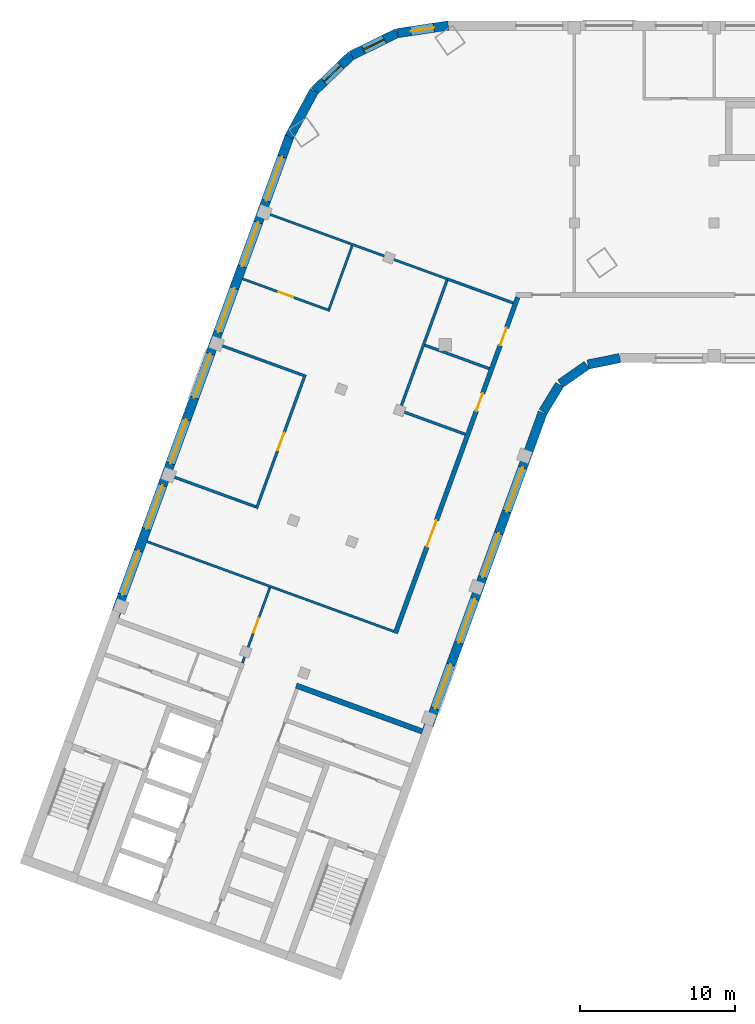
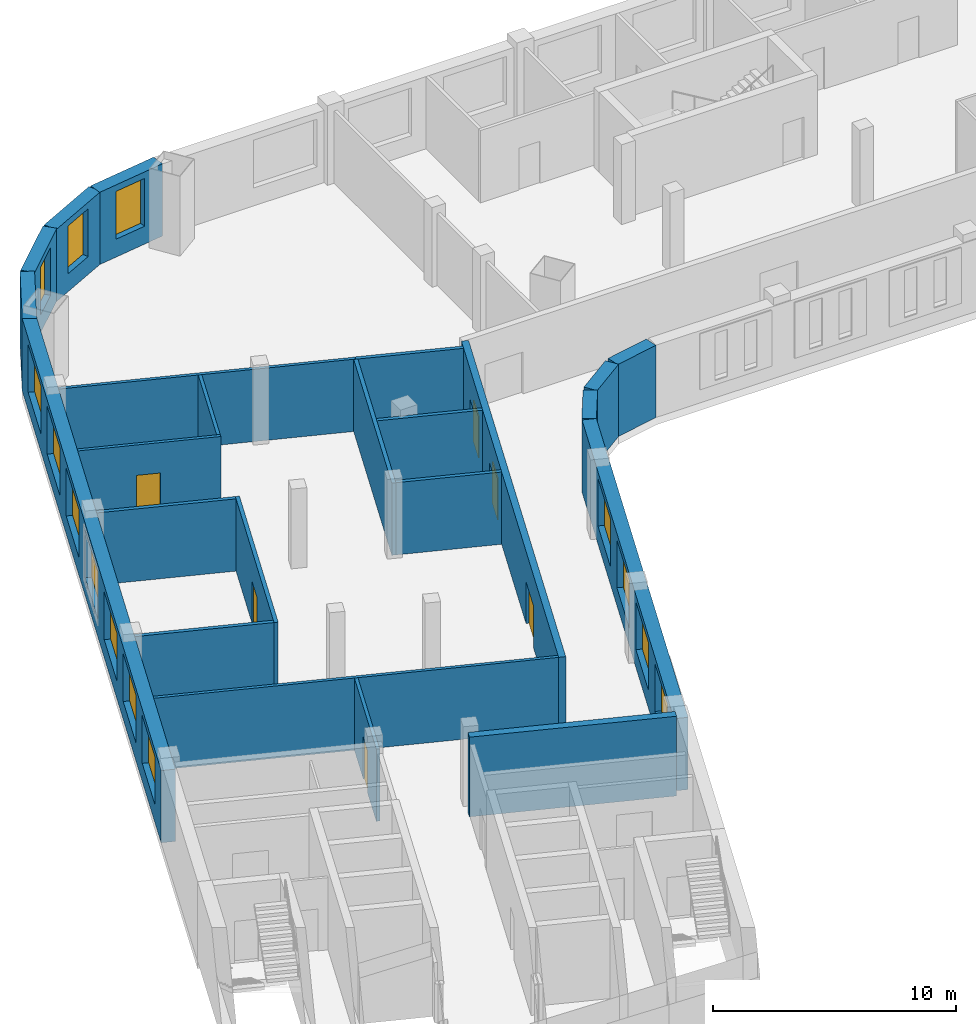
# One storey, part 3 of 8: 23 walls, 14 windows, 6 doors, 20 openings.
"""IFC4 building model written with IfcOpenShell, lengths in metres."""

from ifc_helpers import new_model, si_unit, direction, frame, frame_2d, origin, place, context, subcontext, project, spatial, rectangle, extrude, material, layer, layer_set, type_object, element, fill, save


model = new_model("IFC4")

# Units and contexts
model_context = context("Model", 3, precision=1e-05, world=origin(), true_north=direction((0.0, 1.0)))
body_context = subcontext(model_context, "Body", "Model", "MODEL_VIEW")
ifc_project = project(units=[si_unit("LENGTHUNIT", "METRE"), si_unit("AREAUNIT", "SQUARE_METRE"), si_unit("VOLUMEUNIT", "CUBIC_METRE"), si_unit("PLANEANGLEUNIT", "RADIAN"), si_unit("MASSUNIT", "GRAM", prefix="KILO")], contexts=[model_context])

# Site, building, storey
site_placement = place(None, origin())
site = spatial("IfcSite", under=ifc_project, at=site_placement, CompositionType="ELEMENT")
building_placement = place(site_placement, origin())
building = spatial("IfcBuilding", under=site, at=building_placement, Name="Skarvind Civic Tower", CompositionType="ELEMENT")
storey_placement = place(building_placement, frame((0.0, 0.0, 134.5)))
storey = spatial("IfcBuildingStorey", under=building, at=storey_placement, Name="L31", CompositionType="ELEMENT", Elevation=134.5)

# Walls
ifc_material_1 = material(Name="Acoustic gypsum board on steel studs", Category="steel")
ifc_layer_1 = layer(ifc_material_1, 0.175048828125)
ifc_layer_set_1 = layer_set([ifc_layer_1], Name="ACOUSTIC MEETING-ROOM PARTITION 175")
wall_type_1 = type_object("IfcWallType", Name="ACOUSTIC MEETING-ROOM PARTITION 175", PredefinedType="PARTITIONING", material=ifc_layer_set_1)
wall_1_placement = place(storey_placement, frame((31.35302734375, 118.166015625, 0.0), z_axis=(0.0, 0.0, 1.0), x_axis=(0.939708789041, -0.341975718143, 0.0)))
element("IfcWall", 1, at=wall_1_placement, inside=storey, type_object=wall_type_1, Name="Partition 31.002", PredefinedType="PARTITIONING", context=body_context, shape_type="SweptSolid", body=[
    extrude(rectangle(XDim=5.8134765625, YDim=0.175048828125, at=frame_2d((2.90673828125, 0.0))), origin(), (0.0, 0.0, 1.0), 3.625),
])
wall_2_placement = place(storey_placement, frame((33.737060546875, 107.720947265625, 0.0), z_axis=(0.0, 0.0, 1.0), x_axis=(-0.939694052357, 0.34201621009, 0.0)))
element("IfcWall", 2, at=wall_2_placement, inside=storey, type_object=wall_type_1, Name="Partition 31.003", PredefinedType="PARTITIONING", context=body_context, shape_type="SweptSolid", body=[
    extrude(rectangle(XDim=5.812744140625, YDim=0.175048828125, at=frame_2d((2.90625, 0.0))), origin(), (0.0, 0.0, 1.0), 3.625),
])

# Wall, opening, door
wall_3_placement = place(storey_placement, frame((36.927978515625, 116.22998046875, 0.0), z_axis=(0.0, 0.0, 1.0), x_axis=(-0.342125481497, -0.93965427414, 0.0)))
wall_3 = element("IfcWall", 3, at=wall_3_placement, inside=storey, type_object=wall_type_1, Name="Partition 31.006", PredefinedType="PARTITIONING", context=body_context, shape_type="SweptSolid", body=[
    extrude(rectangle(XDim=9.1748046875, YDim=0.175048828125, at=frame_2d((4.58740234375, 0.0))), origin(), (0.0, 0.0, 1.0), 3.625),
])
opening_1_placement = place(wall_3_placement, frame((3.9873046875, 0.0, 0.0)))
opening_1 = element("IfcOpeningElement", 4, at=opening_1_placement, cuts=wall_3, Name="Opening L31-D014", PredefinedType="OPENING", context=body_context, shape_type="SweptSolid", body=[
    extrude(rectangle(XDim=1.199951171875, YDim=2.10009765625, at=frame_2d((0.60009765625, 1.050048828125))), frame((0.0, 0.097412109375, 0.0), z_axis=(0.0, -1.0, 0.0), x_axis=(1.0, 0.0, 0.0)), (0.0, 0.0, 1.0), 0.195068359375),
])
ifc_material_2 = material(Name="Timber door leaf", Category="wood")
door_type_1 = type_object("IfcDoorType", Name="DOOR 1200X2100 DOUBLE TIMBER", OperationType="NOTDEFINED", PredefinedType="DOOR", material=ifc_material_2)
door_1_placement = place(opening_1_placement, origin())
door_1 = element("IfcDoor", 5, at=door_1_placement, inside=storey, type_object=door_type_1, Name="Door L31-D014", OperationType="DOUBLE_DOOR_SINGLE_SWING", OverallHeight=2.10009765625, OverallWidth=1.199951171875, PredefinedType="DOOR", context=body_context, shape_type="SweptSolid", body=[
    extrude(rectangle(XDim=1.199951171875, YDim=2.10009765625, at=frame_2d((0.60009765625, 1.050048828125))), frame((0.0, 0.02490234375, 0.0), z_axis=(0.0, -1.0, 0.0), x_axis=(1.0, 0.0, 0.0)), (0.0, 0.0, 1.0), 0.050048828125),
])
fill(opening_1, door_1)

# Walls
for number, where, z_axis, x_axis, name in (
    (6, (43.087890625, 113.89501953125, 0.0), (0.0, 0.0, 1.0), (0.939691598517, -0.342022951975, 0.0), "Partition 31.010"),
    (7, (44.626953125, 118.1240234375, 0.0), (0.0, 0.0, 1.0), (0.939691598517, -0.342022951975, 0.0), "Partition 31.011"),
):
    element("IfcWall", number, at=place(storey_placement, frame(where, z_axis=z_axis, x_axis=x_axis)), inside=storey, type_object=wall_type_1, Name=name, PredefinedType="PARTITIONING", context=body_context, shape_type="SweptSolid", body=[
        extrude(rectangle(XDim=4.412109375, YDim=0.175048828125, at=frame_2d((2.2060546875, 0.0))), origin(), (0.0, 0.0, 1.0), 3.625),
    ])
wall_4_placement = place(storey_placement, frame((46.053955078125, 122.301025390625, 0.0), z_axis=(0.0, 0.0, 1.0), x_axis=(-0.341963022424, -0.939713409128, 0.0)))
element("IfcWall", 8, at=wall_4_placement, inside=storey, type_object=wall_type_1, Name="Partition 31.012", PredefinedType="PARTITIONING", context=body_context, shape_type="SweptSolid", body=[
    extrude(rectangle(XDim=9.000732421875, YDim=0.175048828125, at=frame_2d((4.50048828125, 0.0))), origin(), (0.0, 0.0, 1.0), 3.625),
])
wall_5_placement = place(storey_placement, frame((50.31201171875, 120.843017578125, 0.0), z_axis=(0.0, 0.0, 1.0), x_axis=(-0.939609529273, 0.342248349154, 0.0)))
element("IfcWall", 9, at=wall_5_placement, inside=storey, type_object=wall_type_1, Name="Partition 31.013", PredefinedType="PARTITIONING", context=body_context, shape_type="SweptSolid", body=[
    extrude(rectangle(XDim=4.499755859375, YDim=0.175048828125, at=frame_2d((2.25, 0.0))), origin(), (0.0, 0.0, 1.0), 3.625),
])

# Wall, openings, doors
ifc_material_3 = material(Name="Fire-rated gypsum board on steel studs", Category="steel")
ifc_layer_2 = layer(ifc_material_3, 0.300048828125)
ifc_layer_set_2 = layer_set([ifc_layer_2], Name="CORRIDOR WALL 300")
wall_type_2 = type_object("IfcWallType", Name="CORRIDOR WALL 300", PredefinedType="PARTITIONING", material=ifc_layer_set_2)
wall_6_placement = place(storey_placement, frame((42.73193359375, 99.5791015625, 0.0), z_axis=(0.0, 0.0, 1.0), x_axis=(0.342036000593, 0.939686849061, 0.0)))
wall_6 = element("IfcWall", 10, at=wall_6_placement, inside=storey, type_object=wall_type_2, Name="Partition 31.009", PredefinedType="PARTITIONING", context=body_context, shape_type="SweptSolid", body=[
    extrude(rectangle(XDim=23.01806640625, YDim=0.300048828125, at=frame_2d((11.509033203125, 0.0))), origin(), (0.0, 0.0, 1.0), 3.625),
])
opening_2_placement = place(wall_6_placement, frame((15.224853515625, 0.0, 0.0)))
opening_2 = element("IfcOpeningElement", 11, at=opening_2_placement, cuts=wall_6, Name="Opening L31-D012", PredefinedType="OPENING", context=body_context, shape_type="SweptSolid", body=[
    extrude(rectangle(XDim=1.199951171875, YDim=2.10009765625, at=frame_2d((0.60009765625, 1.050048828125))), frame((0.0, 0.159912109375, 0.0), z_axis=(0.0, -1.0, 0.0), x_axis=(1.0, 0.0, 0.0)), (0.0, 0.0, 1.0), 0.320068359375),
])
opening_3_placement = place(wall_6_placement, frame((19.724609375, 0.0, 0.0)))
opening_3 = element("IfcOpeningElement", 12, at=opening_3_placement, cuts=wall_6, Name="Opening L31-D013", PredefinedType="OPENING", context=body_context, shape_type="SweptSolid", body=[
    extrude(rectangle(XDim=1.199951171875, YDim=2.10009765625, at=frame_2d((0.60009765625, 1.050048828125))), frame((0.0, 0.159912109375, 0.0), z_axis=(0.0, -1.0, 0.0), x_axis=(1.0, 0.0, 0.0)), (0.0, 0.0, 1.0), 0.320068359375),
])
opening_4_placement = place(wall_6_placement, frame((5.924560546875, 0.0, 0.0)))
opening_4 = element("IfcOpeningElement", 13, at=opening_4_placement, cuts=wall_6, Name="Opening L31-D016", PredefinedType="OPENING", context=body_context, shape_type="SweptSolid", body=[
    extrude(rectangle(XDim=1.800048828125, YDim=2.10009765625, at=frame_2d((0.89990234375, 1.050048828125))), frame((0.0, 0.159912109375, 0.0), z_axis=(0.0, -1.0, 0.0), x_axis=(1.0, 0.0, 0.0)), (0.0, 0.0, 1.0), 0.320068359375),
])
ifc_material_4 = material(Name="Fire-rated timber door leaf", Category="wood")
door_type_2 = type_object("IfcDoorType", Name="FD4 1800x2100", OperationType="NOTDEFINED", PredefinedType="DOOR", material=ifc_material_4)
door_2_placement = place(opening_4_placement, origin())
door_2 = element("IfcDoor", 14, at=door_2_placement, inside=storey, type_object=door_type_2, Name="Door L31-D016", OperationType="DOUBLE_DOOR_SINGLE_SWING", OverallHeight=2.10009765625, OverallWidth=1.800048828125, PredefinedType="DOOR", context=body_context, shape_type="SweptSolid", body=[
    extrude(rectangle(XDim=1.800048828125, YDim=2.10009765625, at=frame_2d((0.89990234375, 1.050048828125))), frame((0.0, 0.02490234375, 0.0), z_axis=(0.0, -1.0, 0.0), x_axis=(1.0, 0.0, 0.0)), (0.0, 0.0, 1.0), 0.050048828125),
])
fill(opening_4, door_2)
door_type_3 = type_object("IfcDoorType", Name="FD6 1200x2100 DOUBLE", OperationType="NOTDEFINED", PredefinedType="DOOR", material=ifc_material_4)
door_3_placement = place(opening_2_placement, origin())
door_3 = element("IfcDoor", 15, at=door_3_placement, inside=storey, type_object=door_type_3, Name="Door L31-D012", OperationType="DOUBLE_DOOR_SINGLE_SWING", OverallHeight=2.10009765625, OverallWidth=1.199951171875, PredefinedType="DOOR", context=body_context, shape_type="SweptSolid", body=[
    extrude(rectangle(XDim=1.199951171875, YDim=2.10009765625, at=frame_2d((0.60009765625, 1.050048828125))), frame((0.0, 0.02490234375, 0.0), z_axis=(0.0, -1.0, 0.0), x_axis=(1.0, 0.0, 0.0)), (0.0, 0.0, 1.0), 0.050048828125),
])
fill(opening_2, door_3)
door_4_placement = place(opening_3_placement, origin())
door_4 = element("IfcDoor", 16, at=door_4_placement, inside=storey, type_object=door_type_3, Name="Door L31-D013", OperationType="DOUBLE_DOOR_SINGLE_SWING", OverallHeight=2.10009765625, OverallWidth=1.199951171875, PredefinedType="DOOR", context=body_context, shape_type="SweptSolid", body=[
    extrude(rectangle(XDim=1.199951171875, YDim=2.10009765625, at=frame_2d((0.60009765625, 1.050048828125))), frame((0.0, 0.02490234375, 0.0), z_axis=(0.0, -1.0, 0.0), x_axis=(1.0, 0.0, 0.0)), (0.0, 0.0, 1.0), 0.050048828125),
])
fill(opening_3, door_4)

# Walls
ifc_material_5 = material(Name="Concrete C60", Category="concrete")
ifc_layer_3 = layer(ifc_material_5, 0.35009765625)
ifc_layer_set_3 = layer_set([ifc_layer_3], Name="Core wall 350 C60")
wall_type_3 = type_object("IfcWallType", Name="Core wall 350 C60", PredefinedType="SHEAR", material=ifc_layer_set_3)
wall_7_placement = place(storey_placement, frame((44.473388671875, 93.25146484375, 0.0), z_axis=(0.0, 0.0, 1.0), x_axis=(-0.939692847377, 0.34201952077, 0.0)))
element("IfcWall", 17, at=wall_7_placement, inside=storey, type_object=wall_type_3, Name="Core wall C2 south inner face L31", PredefinedType="SHEAR", context=body_context, shape_type="SweptSolid", body=[
    extrude(rectangle(XDim=8.650146484375, YDim=0.35009765625, at=frame_2d((4.3251953125, 0.0))), origin(), (0.0, 0.0, 1.0), 4.0),
])
ifc_material_6 = material(Name="Plasterboard partition on steel studs", Category="steel")
ifc_layer_4 = layer(ifc_material_6, 0.14990234375)
ifc_layer_set_4 = layer_set([ifc_layer_4], Name="PARTITION 150")
wall_type_4 = type_object("IfcWallType", Name="PARTITION 150", PredefinedType="PARTITIONING", material=ifc_layer_set_4)
wall_8_placement = place(storey_placement, frame((26.736083984375, 105.47998046875, 0.0), z_axis=(0.0, 0.0, 1.0), x_axis=(0.939695108427, -0.342013308511, 0.0)))
element("IfcWall", 18, at=wall_8_placement, inside=storey, type_object=wall_type_4, Name="Partition 31.001", PredefinedType="PARTITIONING", context=body_context, shape_type="SweptSolid", body=[
    extrude(rectangle(XDim=16.89990234375, YDim=0.14990234375, at=frame_2d((8.449951171875, 0.0))), origin(), (0.0, 0.0, 1.0), 3.625),
])
wall_9_placement = place(storey_placement, frame((34.430908203125, 126.6240234375, 0.0), z_axis=(0.0, 0.0, 1.0), x_axis=(0.939703144457, -0.341991228392, 0.0)))
element("IfcWall", 19, at=wall_9_placement, inside=storey, type_object=wall_type_4, Name="Partition 31.004", PredefinedType="PARTITIONING", context=body_context, shape_type="SweptSolid", body=[
    extrude(rectangle(XDim=12.40087890625, YDim=0.14990234375, at=frame_2d((6.200439453125, 0.0))), origin(), (0.0, 0.0, 1.0), 3.625),
])

# Wall, opening, door
wall_10_placement = place(storey_placement, frame((32.881103515625, 97.656982421875, 0.0), z_axis=(0.0, 0.0, 1.0), x_axis=(0.341981688871, 0.939706616172, 0.0)))
wall_10 = element("IfcWall", 20, at=wall_10_placement, inside=storey, type_object=wall_type_4, Name="Partition 31.005", PredefinedType="PARTITIONING", context=body_context, shape_type="SweptSolid", body=[
    extrude(rectangle(XDim=5.175048828125, YDim=0.14990234375, at=frame_2d((2.58740234375, 0.0))), origin(), (0.0, 0.0, 1.0), 3.625),
])
opening_5_placement = place(wall_10_placement, frame((2.09765625, 0.0, 0.0)))
opening_5 = element("IfcOpeningElement", 21, at=opening_5_placement, cuts=wall_10, Name="Opening L31-D011", PredefinedType="OPENING", context=body_context, shape_type="SweptSolid", body=[
    extrude(rectangle(XDim=1.0, YDim=2.10009765625, at=frame_2d((0.5, 1.050048828125))), frame((0.0, 0.0849609375, 0.0), z_axis=(0.0, -1.0, 0.0), x_axis=(1.0, 0.0, 0.0)), (0.0, 0.0, 1.0), 0.169921875),
])
door_type_4 = type_object("IfcDoorType", Name="D1 1000x2100", OperationType="NOTDEFINED", PredefinedType="DOOR", material=ifc_material_2)
door_5_placement = place(opening_5_placement, origin())
door_5 = element("IfcDoor", 22, at=door_5_placement, inside=storey, type_object=door_type_4, Name="Door L31-D011", OperationType="SINGLE_SWING_LEFT", OverallHeight=2.10009765625, OverallWidth=1.0, PredefinedType="DOOR", context=body_context, shape_type="SweptSolid", body=[
    extrude(rectangle(XDim=1.0, YDim=2.10009765625, at=frame_2d((0.5, 1.050048828125))), frame((0.0, 0.02490234375, 0.0), z_axis=(0.0, -1.0, 0.0), x_axis=(1.0, 0.0, 0.0)), (0.0, 0.0, 1.0), 0.050048828125),
])
fill(opening_5, door_5)

wall_11_placement = place(storey_placement, frame((38.507080078125, 120.35107421875, 0.0), z_axis=(0.0, 0.0, 1.0), x_axis=(-0.939678850769, 0.342057973766, 0.0)))
wall_11 = element("IfcWall", 23, at=wall_11_placement, inside=storey, type_object=wall_type_4, Name="Partition 31.007", PredefinedType="PARTITIONING", context=body_context, shape_type="SweptSolid", body=[
    extrude(rectangle(XDim=5.975341796875, YDim=0.14990234375, at=frame_2d((2.98779296875, 0.0))), origin(), (0.0, 0.0, 1.0), 3.625),
])
opening_6_placement = place(wall_11_placement, frame((2.52490234375, 0.0, 0.0)))
opening_6 = element("IfcOpeningElement", 24, at=opening_6_placement, cuts=wall_11, Name="Opening L31-D015", PredefinedType="OPENING", context=body_context, shape_type="SweptSolid", body=[
    extrude(rectangle(XDim=1.0, YDim=2.10009765625, at=frame_2d((0.5, 1.050048828125))), frame((0.0, 0.0849609375, 0.0), z_axis=(0.0, -1.0, 0.0), x_axis=(1.0, 0.0, 0.0)), (0.0, 0.0, 1.0), 0.169921875),
])
door_6_placement = place(opening_6_placement, origin())
door_6 = element("IfcDoor", 25, at=door_6_placement, inside=storey, type_object=door_type_4, Name="Door L31-D015", OperationType="SINGLE_SWING_LEFT", OverallHeight=2.10009765625, OverallWidth=1.0, PredefinedType="DOOR", context=body_context, shape_type="SweptSolid", body=[
    extrude(rectangle(XDim=1.0, YDim=2.10009765625, at=frame_2d((0.5, 1.050048828125))), frame((0.0, 0.02490234375, 0.0), z_axis=(0.0, -1.0, 0.0), x_axis=(1.0, 0.0, 0.0)), (0.0, 0.0, 1.0), 0.050048828125),
])
fill(opening_6, door_6)

# Wall
wall_12_placement = place(storey_placement, frame((39.949951171875, 124.535888671875, 0.0), z_axis=(0.0, 0.0, 1.0), x_axis=(-0.341783611499, -0.939778677621, 0.0)))
element("IfcWall", 26, at=wall_12_placement, inside=storey, type_object=wall_type_4, Name="Partition 31.008", PredefinedType="PARTITIONING", context=body_context, shape_type="SweptSolid", body=[
    extrude(rectangle(XDim=4.350830078125, YDim=0.14990234375, at=frame_2d((2.17529296875, 0.0))), origin(), (0.0, 0.0, 1.0), 3.625),
])

# Wall, openings, windows
ifc_material_7 = material(Name="Limestone masonry cladding on insulated backing", Category="masonry")
ifc_layer_5 = layer(ifc_material_7, 0.60009765625)
ifc_layer_set_5 = layer_set([ifc_layer_5], Name="WX1 STONE FACADE WALL 600")
wall_type_5 = type_object("IfcWallType", Name="WX1 STONE FACADE WALL 600", PredefinedType="SOLIDWALL", material=ifc_layer_set_5)
wall_13_placement = place(storey_placement, frame((52.212158203125, 113.78271484375, 0.0), z_axis=(0.0, 0.0, 1.0), x_axis=(-0.34202521188, -0.939690775968, 0.0)))
wall_13 = element("IfcWall", 27, at=wall_13_placement, inside=storey, type_object=wall_type_5, Name="STONE FACADE WALL", PredefinedType="SOLIDWALL", context=body_context, shape_type="SweptSolid", body=[
    extrude(rectangle(XDim=21.744873046875, YDim=0.60009765625, at=frame_2d((10.87255859375, 0.0))), origin(), (0.0, 0.0, 1.0), 3.625),
])
opening_7_placement = place(wall_13_placement, frame((3.764892578125, 0.0, 0.89990234375)))
opening_7 = element("IfcOpeningElement", 28, at=opening_7_placement, cuts=wall_13, Name="Opening WN1", PredefinedType="OPENING", context=body_context, shape_type="SweptSolid", body=[
    extrude(rectangle(XDim=3.0, YDim=2.39990234375, at=frame_2d((1.5, 1.199951171875))), frame((0.0, 0.31005859375, 0.0), z_axis=(0.0, -1.0, 0.0), x_axis=(1.0, 0.0, 0.0)), (0.0, 0.0, 1.0), 0.6201171875),
])
opening_8_placement = place(wall_13_placement, frame((8.264892578125, 0.0, 0.89990234375)))
opening_8 = element("IfcOpeningElement", 29, at=opening_8_placement, cuts=wall_13, Name="Opening WN1", PredefinedType="OPENING", context=body_context, shape_type="SweptSolid", body=[
    extrude(rectangle(XDim=3.0, YDim=2.39990234375, at=frame_2d((1.5, 1.199951171875))), frame((0.0, 0.31005859375, 0.0), z_axis=(0.0, -1.0, 0.0), x_axis=(1.0, 0.0, 0.0)), (0.0, 0.0, 1.0), 0.6201171875),
])
opening_9_placement = place(wall_13_placement, frame((12.764892578125, 0.0, 0.89990234375)))
opening_9 = element("IfcOpeningElement", 30, at=opening_9_placement, cuts=wall_13, Name="Opening WN1", PredefinedType="OPENING", context=body_context, shape_type="SweptSolid", body=[
    extrude(rectangle(XDim=3.0, YDim=2.39990234375, at=frame_2d((1.5, 1.199951171875))), frame((0.0, 0.31005859375, 0.0), z_axis=(0.0, -1.0, 0.0), x_axis=(1.0, 0.0, 0.0)), (0.0, 0.0, 1.0), 0.6201171875),
])
opening_10_placement = place(wall_13_placement, frame((17.264892578125, 0.0, 0.89990234375)))
opening_10 = element("IfcOpeningElement", 31, at=opening_10_placement, cuts=wall_13, Name="Opening WN1", PredefinedType="OPENING", context=body_context, shape_type="SweptSolid", body=[
    extrude(rectangle(XDim=3.0, YDim=2.39990234375, at=frame_2d((1.5, 1.199951171875))), frame((0.0, 0.31005859375, 0.0), z_axis=(0.0, -1.0, 0.0), x_axis=(1.0, 0.0, 0.0)), (0.0, 0.0, 1.0), 0.6201171875),
])
ifc_material_8 = material(Name="Timber frame, double glazing, timber-lined reveal", Category="wood")
window_type_1 = type_object("IfcWindowType", Name="WN1 PUNCHED STONE WINDOW 3000 x 2400", PartitioningType="SINGLE_PANEL", PredefinedType="WINDOW", material=ifc_material_8)
window_1_placement = place(opening_7_placement, origin())
window_1 = element("IfcWindow", 32, at=window_1_placement, inside=storey, type_object=window_type_1, Name="WN1 WINDOW", OverallHeight=2.39990234375, OverallWidth=3.0, PartitioningType="SINGLE_PANEL", PredefinedType="WINDOW", context=body_context, shape_type="SweptSolid", body=[
    extrude(rectangle(XDim=3.0, YDim=2.39990234375, at=frame_2d((1.5, 1.199951171875))), frame((0.0, 0.030029296875, 0.0), z_axis=(0.0, -1.0, 0.0), x_axis=(1.0, 0.0, 0.0)), (0.0, 0.0, 1.0), 0.06005859375),
])
fill(opening_7, window_1)
window_2_placement = place(opening_8_placement, origin())
window_2 = element("IfcWindow", 33, at=window_2_placement, inside=storey, type_object=window_type_1, Name="WN1 WINDOW", OverallHeight=2.39990234375, OverallWidth=3.0, PartitioningType="SINGLE_PANEL", PredefinedType="WINDOW", context=body_context, shape_type="SweptSolid", body=[
    extrude(rectangle(XDim=3.0, YDim=2.39990234375, at=frame_2d((1.5, 1.199951171875))), frame((0.0, 0.030029296875, 0.0), z_axis=(0.0, -1.0, 0.0), x_axis=(1.0, 0.0, 0.0)), (0.0, 0.0, 1.0), 0.06005859375),
])
fill(opening_8, window_2)
window_3_placement = place(opening_9_placement, origin())
window_3 = element("IfcWindow", 34, at=window_3_placement, inside=storey, type_object=window_type_1, Name="WN1 WINDOW", OverallHeight=2.39990234375, OverallWidth=3.0, PartitioningType="SINGLE_PANEL", PredefinedType="WINDOW", context=body_context, shape_type="SweptSolid", body=[
    extrude(rectangle(XDim=3.0, YDim=2.39990234375, at=frame_2d((1.5, 1.199951171875))), frame((0.0, 0.030029296875, 0.0), z_axis=(0.0, -1.0, 0.0), x_axis=(1.0, 0.0, 0.0)), (0.0, 0.0, 1.0), 0.06005859375),
])
fill(opening_9, window_3)
window_4_placement = place(opening_10_placement, origin())
window_4 = element("IfcWindow", 35, at=window_4_placement, inside=storey, type_object=window_type_1, Name="WN1 WINDOW", OverallHeight=2.39990234375, OverallWidth=3.0, PartitioningType="SINGLE_PANEL", PredefinedType="WINDOW", context=body_context, shape_type="SweptSolid", body=[
    extrude(rectangle(XDim=3.0, YDim=2.39990234375, at=frame_2d((1.5, 1.199951171875))), frame((0.0, 0.030029296875, 0.0), z_axis=(0.0, -1.0, 0.0), x_axis=(1.0, 0.0, 0.0)), (0.0, 0.0, 1.0), 0.06005859375),
])
fill(opening_10, window_4)

# Walls
wall_14_placement = place(storey_placement, frame((53.30517578125, 115.578369140625, 0.0), z_axis=(0.0, 0.0, 1.0), x_axis=(-0.522402266438, -0.852699168535, 0.0)))
element("IfcWall", 36, at=wall_14_placement, inside=storey, type_object=wall_type_5, Name="STONE FACADE WALL", PredefinedType="SOLIDWALL", context=body_context, shape_type="SweptSolid", body=[
    extrude(rectangle(XDim=2.042236328125, YDim=0.60009765625, at=frame_2d((1.02099609375, 0.0))), origin(), (0.0, 0.0, 1.0), 3.625),
])
for number, where, z_axis, x_axis, name in (
    (37, (55.061767578125, 116.8388671875, 0.0), (0.0, 0.0, 1.0), (-0.819122269495, -0.573618956815, 0.0), "STONE FACADE WALL"),
    (38, (57.17529296875, 117.2939453125, 0.0), (0.0, 0.0, 1.0), (-0.97996099083, -0.19918949885, 0.0), "STONE FACADE WALL"),
):
    element("IfcWall", number, at=place(storey_placement, frame(where, z_axis=z_axis, x_axis=x_axis)), inside=storey, type_object=wall_type_5, Name=name, PredefinedType="SOLIDWALL", context=body_context, shape_type="SweptSolid", body=[
        extrude(rectangle(XDim=2.09228515625, YDim=0.60009765625, at=frame_2d((1.046142578125, 0.0))), origin(), (0.0, 0.0, 1.0), 3.625),
    ])

# Wall, opening, window
wall_15_placement = place(storey_placement, frame((42.872802734375, 138.21728515625, 0.0), z_axis=(0.0, 0.0, 1.0), x_axis=(0.989110792192, 0.14717282619, 0.0)))
wall_15 = element("IfcWall", 39, at=wall_15_placement, inside=storey, type_object=wall_type_5, Name="STONE FACADE WALL", PredefinedType="SOLIDWALL", context=body_context, shape_type="SweptSolid", body=[
    extrude(rectangle(XDim=3.302734375, YDim=0.60009765625, at=frame_2d((1.6513671875, 0.0))), origin(), (0.0, 0.0, 1.0), 3.625),
])
opening_11_placement = place(wall_15_placement, frame((0.8564453125, 0.0, 0.89990234375)))
opening_11 = element("IfcOpeningElement", 40, at=opening_11_placement, cuts=wall_15, Name="Opening WN8", PredefinedType="OPENING", context=body_context, shape_type="SweptSolid", body=[
    extrude(rectangle(XDim=1.5, YDim=2.39990234375, at=frame_2d((0.75, 1.199951171875))), frame((0.0, 0.31005859375, 0.0), z_axis=(0.0, -1.0, 0.0), x_axis=(1.0, 0.0, 0.0)), (0.0, 0.0, 1.0), 0.6201171875),
])
window_type_2 = type_object("IfcWindowType", Name="WN8 ARC BAY WINDOW 1500 x 2400", PartitioningType="SINGLE_PANEL", PredefinedType="WINDOW", material=ifc_material_8)
window_5_placement = place(opening_11_placement, origin())
window_5 = element("IfcWindow", 41, at=window_5_placement, inside=storey, type_object=window_type_2, Name="WN8 WINDOW", OverallHeight=2.39990234375, OverallWidth=1.5, PartitioningType="SINGLE_PANEL", PredefinedType="WINDOW", context=body_context, shape_type="SweptSolid", body=[
    extrude(rectangle(XDim=1.5, YDim=2.39990234375, at=frame_2d((0.75, 1.199951171875))), frame((0.0, 0.030029296875, 0.0), z_axis=(0.0, -1.0, 0.0), x_axis=(1.0, 0.0, 0.0)), (0.0, 0.0, 1.0), 0.06005859375),
])
fill(opening_11, window_5)

wall_16_placement = place(storey_placement, frame((39.9072265625, 136.77587890625, 0.0), z_axis=(0.0, 0.0, 1.0), x_axis=(0.89761231107, 0.440785819889, 0.0)))
wall_16 = element("IfcWall", 42, at=wall_16_placement, inside=storey, type_object=wall_type_5, Name="STONE FACADE WALL", PredefinedType="SOLIDWALL", context=body_context, shape_type="SweptSolid", body=[
    extrude(rectangle(XDim=3.302734375, YDim=0.60009765625, at=frame_2d((1.6513671875, 0.0))), origin(), (0.0, 0.0, 1.0), 3.625),
])
opening_12_placement = place(wall_16_placement, frame((0.8564453125, 0.0, 0.89990234375)))
opening_12 = element("IfcOpeningElement", 43, at=opening_12_placement, cuts=wall_16, Name="Opening WN8", PredefinedType="OPENING", context=body_context, shape_type="SweptSolid", body=[
    extrude(rectangle(XDim=1.5, YDim=2.39990234375, at=frame_2d((0.75, 1.199951171875))), frame((0.0, 0.31005859375, 0.0), z_axis=(0.0, -1.0, 0.0), x_axis=(1.0, 0.0, 0.0)), (0.0, 0.0, 1.0), 0.6201171875),
])
window_6_placement = place(opening_12_placement, origin())
window_6 = element("IfcWindow", 44, at=window_6_placement, inside=storey, type_object=window_type_2, Name="WN8 WINDOW", OverallHeight=2.39990234375, OverallWidth=1.5, PartitioningType="SINGLE_PANEL", PredefinedType="WINDOW", context=body_context, shape_type="SweptSolid", body=[
    extrude(rectangle(XDim=1.5, YDim=2.39990234375, at=frame_2d((0.75, 1.199951171875))), frame((0.0, 0.030029296875, 0.0), z_axis=(0.0, -1.0, 0.0), x_axis=(1.0, 0.0, 0.0)), (0.0, 0.0, 1.0), 0.06005859375),
])
fill(opening_12, window_6)

wall_17_placement = place(storey_placement, frame((37.520263671875, 134.501220703125, 0.0), z_axis=(0.0, 0.0, 1.0), x_axis=(0.72115684486, 0.692771827596, 0.0)))
wall_17 = element("IfcWall", 45, at=wall_17_placement, inside=storey, type_object=wall_type_5, Name="STONE FACADE WALL", PredefinedType="SOLIDWALL", context=body_context, shape_type="SweptSolid", body=[
    extrude(rectangle(XDim=3.302734375, YDim=0.60009765625, at=frame_2d((1.6513671875, 0.0))), origin(), (0.0, 0.0, 1.0), 3.625),
])
opening_13_placement = place(wall_17_placement, frame((0.8564453125, 0.0, 0.89990234375)))
opening_13 = element("IfcOpeningElement", 46, at=opening_13_placement, cuts=wall_17, Name="Opening WN8", PredefinedType="OPENING", context=body_context, shape_type="SweptSolid", body=[
    extrude(rectangle(XDim=1.5, YDim=2.39990234375, at=frame_2d((0.75, 1.199951171875))), frame((0.0, 0.31005859375, 0.0), z_axis=(0.0, -1.0, 0.0), x_axis=(1.0, 0.0, 0.0)), (0.0, 0.0, 1.0), 0.6201171875),
])
window_7_placement = place(opening_13_placement, origin())
window_7 = element("IfcWindow", 47, at=window_7_placement, inside=storey, type_object=window_type_2, Name="WN8 WINDOW", OverallHeight=2.39990234375, OverallWidth=1.5, PartitioningType="SINGLE_PANEL", PredefinedType="WINDOW", context=body_context, shape_type="SweptSolid", body=[
    extrude(rectangle(XDim=1.5, YDim=2.39990234375, at=frame_2d((0.75, 1.199951171875))), frame((0.0, 0.030029296875, 0.0), z_axis=(0.0, -1.0, 0.0), x_axis=(1.0, 0.0, 0.0)), (0.0, 0.0, 1.0), 0.06005859375),
])
fill(opening_13, window_7)

# Wall
wall_18_placement = place(storey_placement, frame((35.89453125, 131.529541015625, 0.0), z_axis=(0.0, 0.0, 1.0), x_axis=(0.476531180538, 0.879157570618, 0.0)))
element("IfcWall", 48, at=wall_18_placement, inside=storey, type_object=wall_type_5, Name="STONE FACADE WALL", PredefinedType="SOLIDWALL", context=body_context, shape_type="SweptSolid", body=[
    extrude(rectangle(XDim=3.392578125, YDim=0.60009765625, at=frame_2d((1.6962890625, 0.0))), origin(), (0.0, 0.0, 1.0), 3.625),
])

# Wall, openings, windows
wall_19_placement = place(storey_placement, frame((24.66552734375, 100.668701171875, 0.0), z_axis=(0.0, 0.0, 1.0), x_axis=(0.34201964167, 0.939692803373, 0.0)))
wall_19 = element("IfcWall", 49, at=wall_19_placement, inside=storey, type_object=wall_type_5, Name="STONE FACADE WALL", PredefinedType="SOLIDWALL", context=body_context, shape_type="SweptSolid", body=[
    extrude(rectangle(XDim=32.88427734375, YDim=0.60009765625, at=frame_2d((16.442138671875, 0.0))), origin(), (0.0, 0.0, 1.0), 3.625),
])
opening_14_placement = place(wall_19_placement, frame((1.47998046875, 0.0, 0.89990234375)))
opening_14 = element("IfcOpeningElement", 50, at=opening_14_placement, cuts=wall_19, Name="Opening WN1", PredefinedType="OPENING", context=body_context, shape_type="SweptSolid", body=[
    extrude(rectangle(XDim=3.0, YDim=2.39990234375, at=frame_2d((1.5, 1.199951171875))), frame((0.0, 0.31005859375, 0.0), z_axis=(0.0, -1.0, 0.0), x_axis=(1.0, 0.0, 0.0)), (0.0, 0.0, 1.0), 0.6201171875),
])
opening_15_placement = place(wall_19_placement, frame((5.97998046875, 0.0, 0.89990234375)))
opening_15 = element("IfcOpeningElement", 51, at=opening_15_placement, cuts=wall_19, Name="Opening WN1", PredefinedType="OPENING", context=body_context, shape_type="SweptSolid", body=[
    extrude(rectangle(XDim=3.0, YDim=2.39990234375, at=frame_2d((1.5, 1.199951171875))), frame((0.0, 0.31005859375, 0.0), z_axis=(0.0, -1.0, 0.0), x_axis=(1.0, 0.0, 0.0)), (0.0, 0.0, 1.0), 0.6201171875),
])
opening_16_placement = place(wall_19_placement, frame((10.47998046875, 0.0, 0.89990234375)))
opening_16 = element("IfcOpeningElement", 52, at=opening_16_placement, cuts=wall_19, Name="Opening WN1", PredefinedType="OPENING", context=body_context, shape_type="SweptSolid", body=[
    extrude(rectangle(XDim=3.0, YDim=2.39990234375, at=frame_2d((1.5, 1.199951171875))), frame((0.0, 0.31005859375, 0.0), z_axis=(0.0, -1.0, 0.0), x_axis=(1.0, 0.0, 0.0)), (0.0, 0.0, 1.0), 0.6201171875),
])
opening_17_placement = place(wall_19_placement, frame((14.97998046875, 0.0, 0.89990234375)))
opening_17 = element("IfcOpeningElement", 53, at=opening_17_placement, cuts=wall_19, Name="Opening WN1", PredefinedType="OPENING", context=body_context, shape_type="SweptSolid", body=[
    extrude(rectangle(XDim=3.0, YDim=2.39990234375, at=frame_2d((1.5, 1.199951171875))), frame((0.0, 0.31005859375, 0.0), z_axis=(0.0, -1.0, 0.0), x_axis=(1.0, 0.0, 0.0)), (0.0, 0.0, 1.0), 0.6201171875),
])
opening_18_placement = place(wall_19_placement, frame((19.47998046875, 0.0, 0.89990234375)))
opening_18 = element("IfcOpeningElement", 54, at=opening_18_placement, cuts=wall_19, Name="Opening WN1", PredefinedType="OPENING", context=body_context, shape_type="SweptSolid", body=[
    extrude(rectangle(XDim=3.0, YDim=2.39990234375, at=frame_2d((1.5, 1.199951171875))), frame((0.0, 0.31005859375, 0.0), z_axis=(0.0, -1.0, 0.0), x_axis=(1.0, 0.0, 0.0)), (0.0, 0.0, 1.0), 0.6201171875),
])
opening_19_placement = place(wall_19_placement, frame((23.97998046875, 0.0, 0.89990234375)))
opening_19 = element("IfcOpeningElement", 55, at=opening_19_placement, cuts=wall_19, Name="Opening WN1", PredefinedType="OPENING", context=body_context, shape_type="SweptSolid", body=[
    extrude(rectangle(XDim=3.0, YDim=2.39990234375, at=frame_2d((1.5, 1.199951171875))), frame((0.0, 0.31005859375, 0.0), z_axis=(0.0, -1.0, 0.0), x_axis=(1.0, 0.0, 0.0)), (0.0, 0.0, 1.0), 0.6201171875),
])
opening_20_placement = place(wall_19_placement, frame((28.47998046875, 0.0, 0.89990234375)))
opening_20 = element("IfcOpeningElement", 56, at=opening_20_placement, cuts=wall_19, Name="Opening WN1", PredefinedType="OPENING", context=body_context, shape_type="SweptSolid", body=[
    extrude(rectangle(XDim=3.0, YDim=2.39990234375, at=frame_2d((1.5, 1.199951171875))), frame((0.0, 0.31005859375, 0.0), z_axis=(0.0, -1.0, 0.0), x_axis=(1.0, 0.0, 0.0)), (0.0, 0.0, 1.0), 0.6201171875),
])
window_8_placement = place(opening_14_placement, origin())
window_8 = element("IfcWindow", 57, at=window_8_placement, inside=storey, type_object=window_type_1, Name="WN1 WINDOW", OverallHeight=2.39990234375, OverallWidth=3.0, PartitioningType="SINGLE_PANEL", PredefinedType="WINDOW", context=body_context, shape_type="SweptSolid", body=[
    extrude(rectangle(XDim=3.0, YDim=2.39990234375, at=frame_2d((1.5, 1.199951171875))), frame((0.0, 0.030029296875, 0.0), z_axis=(0.0, -1.0, 0.0), x_axis=(1.0, 0.0, 0.0)), (0.0, 0.0, 1.0), 0.06005859375),
])
fill(opening_14, window_8)
window_9_placement = place(opening_15_placement, origin())
window_9 = element("IfcWindow", 58, at=window_9_placement, inside=storey, type_object=window_type_1, Name="WN1 WINDOW", OverallHeight=2.39990234375, OverallWidth=3.0, PartitioningType="SINGLE_PANEL", PredefinedType="WINDOW", context=body_context, shape_type="SweptSolid", body=[
    extrude(rectangle(XDim=3.0, YDim=2.39990234375, at=frame_2d((1.5, 1.199951171875))), frame((0.0, 0.030029296875, 0.0), z_axis=(0.0, -1.0, 0.0), x_axis=(1.0, 0.0, 0.0)), (0.0, 0.0, 1.0), 0.06005859375),
])
fill(opening_15, window_9)
window_10_placement = place(opening_16_placement, origin())
window_10 = element("IfcWindow", 59, at=window_10_placement, inside=storey, type_object=window_type_1, Name="WN1 WINDOW", OverallHeight=2.39990234375, OverallWidth=3.0, PartitioningType="SINGLE_PANEL", PredefinedType="WINDOW", context=body_context, shape_type="SweptSolid", body=[
    extrude(rectangle(XDim=3.0, YDim=2.39990234375, at=frame_2d((1.5, 1.199951171875))), frame((0.0, 0.030029296875, 0.0), z_axis=(0.0, -1.0, 0.0), x_axis=(1.0, 0.0, 0.0)), (0.0, 0.0, 1.0), 0.06005859375),
])
fill(opening_16, window_10)
window_11_placement = place(opening_17_placement, origin())
window_11 = element("IfcWindow", 60, at=window_11_placement, inside=storey, type_object=window_type_1, Name="WN1 WINDOW", OverallHeight=2.39990234375, OverallWidth=3.0, PartitioningType="SINGLE_PANEL", PredefinedType="WINDOW", context=body_context, shape_type="SweptSolid", body=[
    extrude(rectangle(XDim=3.0, YDim=2.39990234375, at=frame_2d((1.5, 1.199951171875))), frame((0.0, 0.030029296875, 0.0), z_axis=(0.0, -1.0, 0.0), x_axis=(1.0, 0.0, 0.0)), (0.0, 0.0, 1.0), 0.06005859375),
])
fill(opening_17, window_11)
window_12_placement = place(opening_18_placement, origin())
window_12 = element("IfcWindow", 61, at=window_12_placement, inside=storey, type_object=window_type_1, Name="WN1 WINDOW", OverallHeight=2.39990234375, OverallWidth=3.0, PartitioningType="SINGLE_PANEL", PredefinedType="WINDOW", context=body_context, shape_type="SweptSolid", body=[
    extrude(rectangle(XDim=3.0, YDim=2.39990234375, at=frame_2d((1.5, 1.199951171875))), frame((0.0, 0.030029296875, 0.0), z_axis=(0.0, -1.0, 0.0), x_axis=(1.0, 0.0, 0.0)), (0.0, 0.0, 1.0), 0.06005859375),
])
fill(opening_18, window_12)
window_13_placement = place(opening_19_placement, origin())
window_13 = element("IfcWindow", 62, at=window_13_placement, inside=storey, type_object=window_type_1, Name="WN1 WINDOW", OverallHeight=2.39990234375, OverallWidth=3.0, PartitioningType="SINGLE_PANEL", PredefinedType="WINDOW", context=body_context, shape_type="SweptSolid", body=[
    extrude(rectangle(XDim=3.0, YDim=2.39990234375, at=frame_2d((1.5, 1.199951171875))), frame((0.0, 0.030029296875, 0.0), z_axis=(0.0, -1.0, 0.0), x_axis=(1.0, 0.0, 0.0)), (0.0, 0.0, 1.0), 0.06005859375),
])
fill(opening_19, window_13)
window_14_placement = place(opening_20_placement, origin())
window_14 = element("IfcWindow", 63, at=window_14_placement, inside=storey, type_object=window_type_1, Name="WN1 WINDOW", OverallHeight=2.39990234375, OverallWidth=3.0, PartitioningType="SINGLE_PANEL", PredefinedType="WINDOW", context=body_context, shape_type="SweptSolid", body=[
    extrude(rectangle(XDim=3.0, YDim=2.39990234375, at=frame_2d((1.5, 1.199951171875))), frame((0.0, 0.030029296875, 0.0), z_axis=(0.0, -1.0, 0.0), x_axis=(1.0, 0.0, 0.0)), (0.0, 0.0, 1.0), 0.06005859375),
])
fill(opening_20, window_14)

save(model, "model.ifc")
